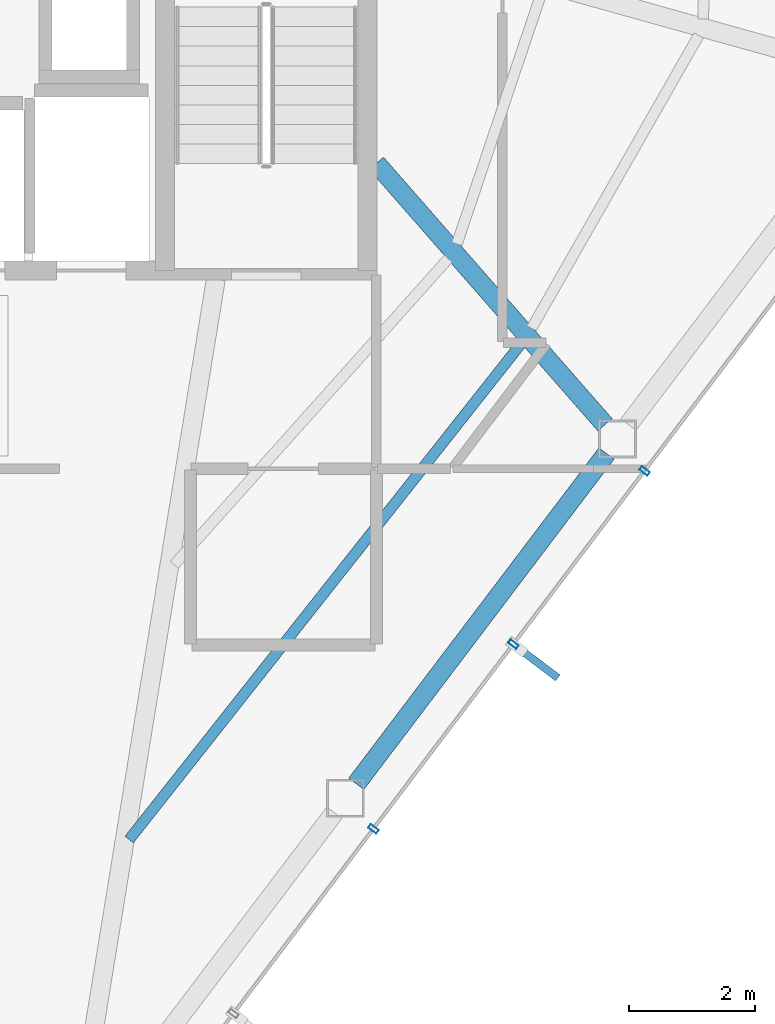
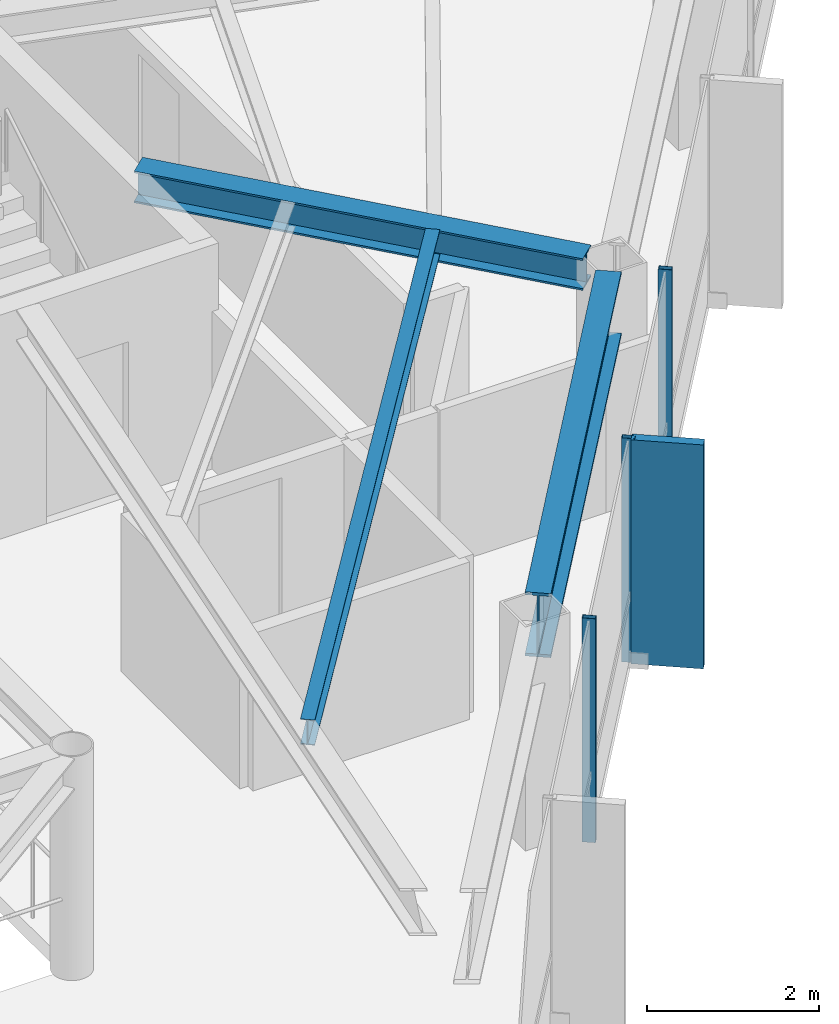
# One storey, part 15 of 25: 4 members, 3 beams, 1 element without a shape of its own.
"""IFC4 building model written with IfcOpenShell, lengths in metres."""

import ifcopenshell
import ifcopenshell.guid

model = None  # the IFC model being written
_history = None  # IfcOwnerHistory: only IFC2X3 demands one
_inside = {}  # id of a spatial element -> (the spatial element, [elements in it])
_under = {}  # id of a project, library or spatial element -> (it, [spatial elements below it])
_declared = {}  # id of a project -> (the project, [libraries it declares])
_typed = {}  # id of a type object -> (the type object, [elements of that type])
_made_of = {}  # id of a material, layer set ... -> (it, [elements and type objects made of it])


def new_model(schema):
    """Start an empty IFC model of exactly this schema.

    Asked for "IFC4X3", IfcOpenShell would pick the latest addendum, in which some entities
    have other attributes; the version numbers below select the first issue.
    IFC2X3 requires an IfcOwnerHistory on every rooted entity: one is made here for all.
    """
    global model, _history
    if schema == "IFC4X3":
        model = ifcopenshell.file(schema_version=(4, 3, 0, 0))
    else:
        model = ifcopenshell.file(schema=schema)
    _inside.clear()
    _under.clear()
    _declared.clear()
    _typed.clear()
    _made_of.clear()
    _history = None
    if model.schema == "IFC2X3":
        org = make("IfcOrganization", Name="unknown")
        user = make(
            "IfcPersonAndOrganization",
            ThePerson=make("IfcPerson", FamilyName="unknown"),
            TheOrganization=org,
        )
        app = make(
            "IfcApplication",
            ApplicationDeveloper=org,
            Version="unknown",
            ApplicationFullName="unknown",
            ApplicationIdentifier="unknown",
        )
        _history = make(
            "IfcOwnerHistory",
            OwningUser=user,
            OwningApplication=app,
            ChangeAction="ADDED",
            CreationDate=0,
        )
    return model


def make(cls, **values):
    """One entity of the class cls with the attributes given. An attribute that is None is left unset."""
    return model.create_entity(
        cls, **{name: value for name, value in values.items() if value is not None}
    )


def rooted(cls, **values):
    """An entity with a GlobalId (a new one), such as an element, a storey or a relation."""
    return make(cls, GlobalId=ifcopenshell.guid.new(), OwnerHistory=_history, **values)


def si_unit(unit_type, name, prefix=None):
    """IfcSIUnit, for example si_unit("LENGTHUNIT", "METRE", prefix="MILLI")."""
    return make("IfcSIUnit", UnitType=unit_type, Prefix=prefix, Name=name)


def assignment(units):
    """IfcUnitAssignment: the units of a project."""
    return None if units is None else make("IfcUnitAssignment", Units=units)


def point(xyz):
    """IfcCartesianPoint."""
    return None if xyz is None else make("IfcCartesianPoint", Coordinates=xyz)


def direction(xyz):
    """IfcDirection."""
    return None if xyz is None else make("IfcDirection", DirectionRatios=xyz)


def frame(location, z_axis=None, x_axis=None):
    """IfcAxis2Placement3D, a coordinate frame: its origin and axes. An axis left out is left unset."""
    return make(
        "IfcAxis2Placement3D",
        Location=point(location),
        Axis=direction(z_axis),
        RefDirection=direction(x_axis),
    )


def frame_2d(location, x_axis=None):
    """IfcAxis2Placement2D, a coordinate frame in the plane: its origin and x axis."""
    return make(
        "IfcAxis2Placement2D", Location=point(location), RefDirection=direction(x_axis)
    )


def origin():
    """The frame at (0, 0, 0) with its axes left unset."""
    return frame((0.0, 0.0, 0.0))


def origin_2d():
    """The frame at (0, 0) in the plane with its x axis left unset."""
    return frame_2d((0.0, 0.0))


def place(relative_to, where):
    """IfcLocalPlacement: puts the frame where relative to a parent placement (None: the world)."""
    return make(
        "IfcLocalPlacement", PlacementRelTo=relative_to, RelativePlacement=where
    )


def context(
    kind, dimensions, precision=None, world=None, true_north=None, identifier=None
):
    """IfcGeometricRepresentationContext, for example the 3D "Model" context."""
    return make(
        "IfcGeometricRepresentationContext",
        ContextIdentifier=identifier,
        ContextType=kind,
        CoordinateSpaceDimension=dimensions,
        Precision=precision,
        WorldCoordinateSystem=world,
        TrueNorth=true_north,
    )


def subcontext(parent, identifier, kind, view, scale=None):
    """IfcGeometricRepresentationSubContext, for example "Body" below "Model"."""
    return make(
        "IfcGeometricRepresentationSubContext",
        ContextIdentifier=identifier,
        ContextType=kind,
        ParentContext=parent,
        TargetScale=scale,
        TargetView=view,
    )


def project(units=None, contexts=None):
    """IfcProject with its units and contexts."""
    return rooted(
        "IfcProject",
        Name="project",
        RepresentationContexts=contexts,
        UnitsInContext=assignment(units),
    )


def spatial(cls, under=None, at=None, **own):
    """A site, building, storey or space (cls), placed at a placement, below another one or the project."""
    s = rooted(cls, ObjectPlacement=at, **own)
    if under is not None:
        _under.setdefault(under.id(), (under, []))[1].append(s)
    return s


def profile(cls, at=None, kind="AREA", **sizes):
    """A parametric profile (cls). Its sizes go by their IFC names, for example OverallWidth=200.0."""
    return make(cls, ProfileType=kind, Position=at, **sizes)


def rectangle(**sizes):
    """IfcRectangleProfileDef."""
    return profile("IfcRectangleProfileDef", **sizes)


def hollow_rectangle(**sizes):
    """IfcRectangleHollowProfileDef."""
    return profile("IfcRectangleHollowProfileDef", **sizes)


def i_section(**sizes):
    """IfcIShapeProfileDef."""
    return profile("IfcIShapeProfileDef", **sizes)


def extrude(swept, where, along, depth):
    """IfcExtrudedAreaSolid: the profile swept, set in the frame where, extruded along a direction by depth."""
    return make(
        "IfcExtrudedAreaSolid",
        SweptArea=swept,
        Position=where,
        ExtrudedDirection=direction(along),
        Depth=depth,
    )


def shape(context_of_items, identifier, shape_type, items):
    """IfcShapeRepresentation: the items that make up one representation, for example the "Body"."""
    return make(
        "IfcShapeRepresentation",
        ContextOfItems=context_of_items,
        RepresentationIdentifier=identifier,
        RepresentationType=shape_type,
        Items=items,
    )


def material(Name=None, Category=None):
    """IfcMaterial."""
    return make("IfcMaterial", Name=Name, Category=Category)


def layer(
    of_material, thickness, ventilated=None, Name=None, Category=None, Priority=None
):
    """IfcMaterialLayer: one layer of a wall or slab, of a material (None: an air gap)."""
    return make(
        "IfcMaterialLayer",
        Material=of_material,
        LayerThickness=thickness,
        IsVentilated=ventilated,
        Name=Name,
        Category=Category,
        Priority=Priority,
    )


def layer_set(layers, Name=None):
    """IfcMaterialLayerSet."""
    return make("IfcMaterialLayerSet", MaterialLayers=layers, LayerSetName=Name)


def material_profile(
    of_material, cross_section, Name=None, Category=None, Priority=None
):
    """IfcMaterialProfile: a cross section and its material."""
    return make(
        "IfcMaterialProfile",
        Name=Name,
        Material=of_material,
        Profile=cross_section,
        Priority=Priority,
        Category=Category,
    )


def profile_set(profiles, Name=None, composite=None):
    """IfcMaterialProfileSet."""
    return make(
        "IfcMaterialProfileSet",
        Name=Name,
        MaterialProfiles=profiles,
        CompositeProfile=composite,
    )


def made_of(thing, what):
    """Note that an element or type object is made of a material, layer set ...; save() writes the relation."""
    if what is not None:
        _made_of.setdefault(what.id(), (what, []))[1].append(thing)
    return thing


def type_object(cls, material=None, **own):
    """A type object (cls), such as IfcWallType, which elements share."""
    return made_of(rooted(cls, **own), material)


def element(
    cls,
    number,
    at=None,
    inside=None,
    cuts=None,
    type_object=None,
    material=None,
    context=None,
    identifier="Body",
    shape_type=None,
    held_by="IfcProductDefinitionShape",
    body=None,
    shapes=None,
    **own,
):
    """One element of the class cls, such as IfcWall. Its Tag is "e" and its number.

    at: its placement. inside: the storey or other place that contains it. cuts: it is an
    opening in that element (IfcRelVoidsElement). A single representation is given by context,
    identifier, shape_type and body (its items); several are given by shapes. held_by: the class
    of the entity that holds the representations. save() writes the other relations.
    """
    e = rooted(cls, Tag="e%d" % number, ObjectPlacement=at, **own)
    if body is not None:
        shapes = [shape(context, identifier, shape_type, body)]
    if shapes is not None:
        e.Representation = make(held_by, Representations=shapes)
    if inside is not None:
        _inside.setdefault(inside.id(), (inside, []))[1].append(e)
    if cuts is not None:
        rooted(
            "IfcRelVoidsElement", RelatingBuildingElement=cuts, RelatedOpeningElement=e
        )
    if type_object is not None:
        _typed.setdefault(type_object.id(), (type_object, []))[1].append(e)
    return made_of(e, material)


def aggregate(whole, parts):
    """IfcRelAggregates: a whole, such as a stair, and the parts it consists of."""
    return rooted("IfcRelAggregates", RelatingObject=whole, RelatedObjects=parts)


def save(model, path):
    """Write the relations noted so far, then the file.

    IfcRelAggregates (storeys below a building ...), IfcRelContainedInSpatialStructure (elements
    in a storey), IfcRelDefinesByType, IfcRelAssociatesMaterial and IfcRelDeclares: one each for
    every whole, place, type object, material and project.
    """
    for whole, parts in _under.values():
        aggregate(whole, parts)
    for where, things in _inside.values():
        rooted(
            "IfcRelContainedInSpatialStructure",
            RelatedElements=things,
            RelatingStructure=where,
        )
    for kind, things in _typed.values():
        rooted("IfcRelDefinesByType", RelatedObjects=things, RelatingType=kind)
    for what, things in _made_of.values():
        rooted("IfcRelAssociatesMaterial", RelatedObjects=things, RelatingMaterial=what)
    for by, libraries in _declared.values():
        rooted("IfcRelDeclares", RelatingContext=by, RelatedDefinitions=libraries)
    model.write(path)


model = new_model("IFC4")

# Units and contexts
model_context = context("Model", 3, precision=1e-05, world=origin(), true_north=direction((0.0, 1.0)))
body_context = subcontext(model_context, "Body", "Model", "MODEL_VIEW")
ifc_project = project(units=[si_unit("LENGTHUNIT", "METRE"), si_unit("AREAUNIT", "SQUARE_METRE"), si_unit("VOLUMEUNIT", "CUBIC_METRE"), si_unit("PLANEANGLEUNIT", "RADIAN"), si_unit("MASSUNIT", "GRAM", prefix="KILO")], contexts=[model_context])

# Site, building, storey
site_placement = place(None, origin())
site = spatial("IfcSite", under=ifc_project, at=site_placement, CompositionType="ELEMENT")
building_placement = place(site_placement, origin())
building = spatial("IfcBuilding", under=site, at=building_placement, Name="Zarrinselat Tower", CompositionType="ELEMENT")
storey_placement = place(building_placement, frame((0.0, 0.0, 239.360107421875)))
storey = spatial("IfcBuildingStorey", under=building, at=storey_placement, Name="L60", CompositionType="ELEMENT", Elevation=239.360107421875)

# Beams
ifc_material_1 = material(Name="Steel S355J2", Category="steel")
ifc_material_profile_1 = material_profile(ifc_material_1, i_section(OverallWidth=0.300048828125, OverallDepth=0.449951171875, WebThickness=0.013916015625, FlangeThickness=0.02587890625, at=origin_2d()), Name="HEB 450")
ifc_profile_set_1 = profile_set([ifc_material_profile_1], Name="Steel S355J2")
beam_type_1 = type_object("IfcBeamType", Name="BM-HEB450", PredefinedType="BEAM", material=ifc_profile_set_1)
beam_1_placement = place(storey_placement, frame((48.35009765625, 35.0, 2.954833984375), z_axis=(0.658234979936, -0.752812533894, 0.0), x_axis=(0.752812533894, 0.658234979936, 0.0)))
element("IfcBeam", 1, at=beam_1_placement, inside=storey, type_object=beam_type_1, Name="L60 Radial Primary Girder RG13", PredefinedType="BEAM", context=body_context, shape_type="SweptSolid", body=[
    extrude(i_section(OverallWidth=0.300048828125, OverallDepth=0.449951171875, WebThickness=0.013916015625, FlangeThickness=0.02587890625, at=origin_2d()), origin(), (0.0, 0.0, 1.0), 5.513916015625),
])
ifc_material_2 = material(Name="Steel S460M", Category="steel")
ifc_material_profile_2 = material_profile(ifc_material_2, i_section(OverallWidth=0.302001953125, OverallDepth=0.909912109375, WebThickness=0.02099609375, FlangeThickness=0.0400390625, at=origin_2d()), Name="HEM 900")
ifc_profile_set_2 = profile_set([ifc_material_profile_2], Name="Steel S460M")
beam_type_2 = type_object("IfcBeamType", Name="BM-HEM900", PredefinedType="BEAM", material=ifc_profile_set_2)
beam_2_placement = place(storey_placement, frame((48.03076171875, 25.146728515625, 2.724853515625), z_axis=(0.603845544807, 0.797101347394, 0.0), x_axis=(-0.797101347394, 0.603845544807, 0.0)))
element("IfcBeam", 2, at=beam_2_placement, inside=storey, type_object=beam_type_2, Name="L60 Perimeter Spandrel Girder SP12", PredefinedType="BEAM", context=body_context, shape_type="SweptSolid", body=[
    extrude(i_section(OverallWidth=0.302001953125, OverallDepth=0.909912109375, WebThickness=0.02099609375, FlangeThickness=0.0400390625, at=origin_2d()), origin(), (0.0, 0.0, 1.0), 6.58056640625),
])
ifc_material_3 = material(Name="Steel S355J2", Category="steel")
ifc_material_profile_3 = material_profile(ifc_material_3, i_section(OverallWidth=0.169921875, OverallDepth=0.360107421875, WebThickness=0.008056640625, FlangeThickness=0.0126953125, at=origin_2d()), Name="IPE 360")
ifc_profile_set_3 = profile_set([ifc_material_profile_3], Name="Steel S355J2")
beam_type_3 = type_object("IfcBeamType", Name="BM-IPE360", PredefinedType="JOIST", material=ifc_profile_set_3)
beam_3_placement = place(storey_placement, frame((44.424072265625, 24.261474609375, 3.0), z_axis=(0.620044127495, 0.784566937845, 0.0), x_axis=(-0.784566937845, 0.620044127495, 0.0)))
element("IfcBeam", 3, at=beam_3_placement, inside=storey, type_object=beam_type_3, Name="L60 Composite Floor Joist 3-1", PredefinedType="JOIST", context=body_context, shape_type="SweptSolid", body=[
    extrude(i_section(OverallWidth=0.169921875, OverallDepth=0.360107421875, WebThickness=0.008056640625, FlangeThickness=0.0126953125, at=origin_2d()), origin(), (0.0, 0.0, 1.0), 10.05517578125),
])

# Curtain wall, members
ifc_material_4 = material(Name="Extruded Aluminium Alloy EN AW-6063 T6", Category="aluminium")
ifc_layer = layer(ifc_material_4, 0.169921875)
ifc_layer_set = layer_set([ifc_layer], Name="Extruded Aluminium Alloy EN AW-6063 T6")
curtain_wall_type = type_object("IfcCurtainWallType", Name="CWS-RES", PredefinedType="NOTDEFINED", material=ifc_layer_set)
curtain_wall_placement = place(storey_placement, origin())
curtain_wall = element("IfcCurtainWall", 4, at=curtain_wall_placement, inside=storey, type_object=curtain_wall_type, Name="L60 Unitised Curtain Wall CW-L60-E05", PredefinedType="NOTDEFINED")
ifc_material_5 = material(Name="Extruded Aluminium Alloy EN AW-6063 T6", Category="aluminium")
ifc_material_profile_4 = material_profile(ifc_material_5, hollow_rectangle(XDim=0.070068359375, YDim=0.159912109375, WallThickness=0.00390625, at=origin_2d()), Name="RHS 160x70x4")
ifc_profile_set_4 = profile_set([ifc_material_profile_4], Name="Extruded Aluminium Alloy EN AW-6063 T6")
member_type_1 = type_object("IfcMemberType", Name="MEM-CW-MUL2", PredefinedType="MULLION", material=ifc_profile_set_4)
member_1_placement = place(storey_placement, frame((48.302978515625, 24.4296875, 0.0), z_axis=(0.0, 0.0, 1.0), x_axis=(0.603858472709, 0.797091553674, 0.0)))
member_1 = element("IfcMember", 5, at=member_1_placement, type_object=member_type_1, Name="CW-L60-E05 Mullion 2", PredefinedType="MULLION", context=body_context, shape_type="SweptSolid", body=[
    extrude(hollow_rectangle(XDim=0.070068359375, YDim=0.159912109375, WallThickness=0.00390625, at=origin_2d()), origin(), (0.0, 0.0, 1.0), 3.179931640625),
])
member_2_placement = place(storey_placement, frame((50.525390625, 27.36328125, 0.0), z_axis=(0.0, 0.0, 1.0), x_axis=(0.603858472709, 0.797091553674, 0.0)))
member_2 = element("IfcMember", 6, at=member_2_placement, type_object=member_type_1, Name="CW-L60-E05 Mullion 3", PredefinedType="MULLION", context=body_context, shape_type="SweptSolid", body=[
    extrude(hollow_rectangle(XDim=0.070068359375, YDim=0.159912109375, WallThickness=0.00390625, at=origin_2d()), origin(), (0.0, 0.0, 1.0), 3.179931640625),
])
member_3_placement = place(storey_placement, frame((52.60888671875, 30.11376953125, 0.0), z_axis=(0.0, 0.0, 1.0), x_axis=(0.603858472709, 0.797091553674, 0.0)))
member_3 = element("IfcMember", 7, at=member_3_placement, type_object=member_type_1, Name="CW-L60-E05 Mullion 4", PredefinedType="MULLION", context=body_context, shape_type="SweptSolid", body=[
    extrude(hollow_rectangle(XDim=0.070068359375, YDim=0.159912109375, WallThickness=0.00390625, at=origin_2d()), origin(), (0.0, 0.0, 1.0), 3.179931640625),
])
ifc_material_6 = material(Name="Honed Cream Travertine Stone", Category="masonry")
ifc_material_profile_5 = material_profile(ifc_material_6, rectangle(XDim=0.1201171875, YDim=0.85009765625, at=origin_2d()), Name="FIN 850x120")
ifc_profile_set_5 = profile_set([ifc_material_profile_5], Name="Honed Cream Travertine Stone")
member_type_2 = type_object("IfcMemberType", Name="MEM-STONE-FIN", PredefinedType="USERDEFINED", material=ifc_profile_set_5)
member_4_placement = place(storey_placement, frame((50.89208984375, 27.08544921875, 0.0), z_axis=(0.0, 0.0, 1.0), x_axis=(-0.603858472709, -0.797091553674, 0.0)))
member_4 = element("IfcMember", 8, at=member_4_placement, type_object=member_type_2, Name="L60 Stone Shading Fin CW-L60-E05-03", ObjectType="FIN", PredefinedType="USERDEFINED", context=body_context, shape_type="SweptSolid", body=[
    extrude(rectangle(XDim=0.1201171875, YDim=0.85009765625, at=origin_2d()), origin(), (0.0, 0.0, 1.0), 3.179931640625),
])
aggregate(curtain_wall, [member_1, member_2, member_4, member_3])

save(model, "model.ifc")
